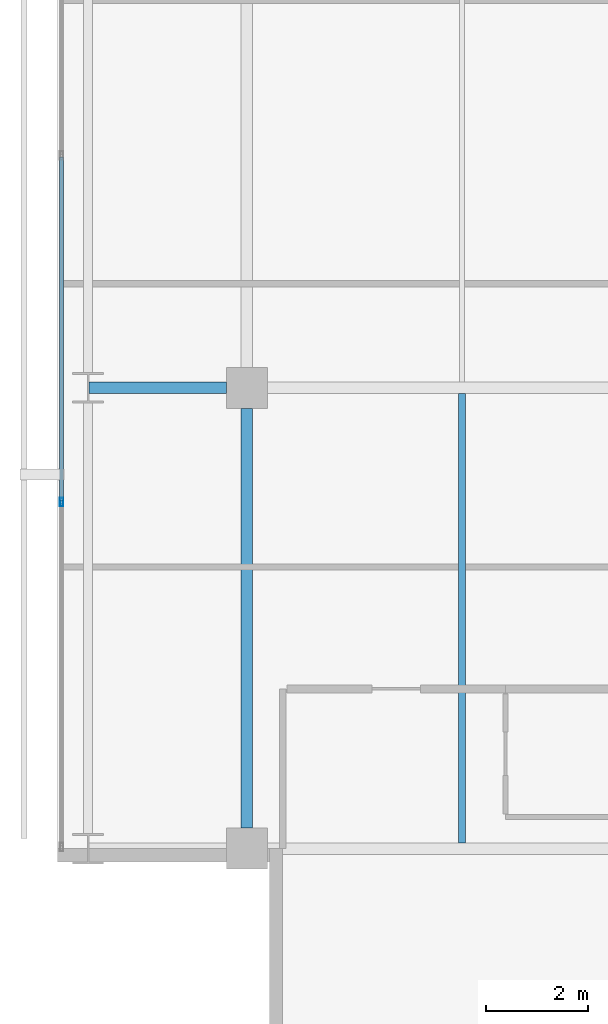
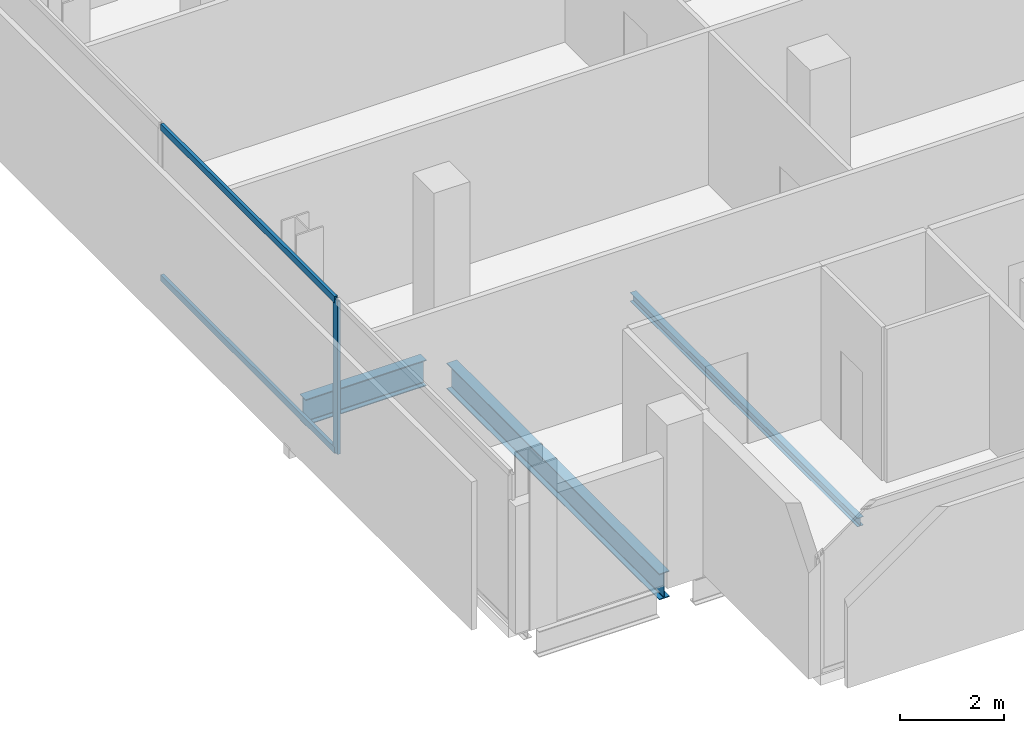
# One storey, part 4 of 33: 3 beams, 3 members, 1 element without a shape of its own.
"""IFC4 building model written with IfcOpenShell, lengths in metres."""

from ifc_helpers import new_model, si_unit, direction, frame, origin, origin_2d, place, context, subcontext, project, spatial, hollow_rectangle, i_section, extrude, material, layer, layer_set, material_profile, profile_set, type_object, element, aggregate, save


model = new_model("IFC4")

# Units and contexts
model_context = context("Model", 3, precision=1e-05, world=origin(), true_north=direction((0.0, 1.0)))
body_context = subcontext(model_context, "Body", "Model", "MODEL_VIEW")
ifc_project = project(units=[si_unit("LENGTHUNIT", "METRE"), si_unit("AREAUNIT", "SQUARE_METRE"), si_unit("VOLUMEUNIT", "CUBIC_METRE"), si_unit("PLANEANGLEUNIT", "RADIAN"), si_unit("MASSUNIT", "GRAM", prefix="KILO")], contexts=[model_context])

# Site, building, storey
site_placement = place(None, origin())
site = spatial("IfcSite", under=ifc_project, at=site_placement, CompositionType="ELEMENT")
building_placement = place(site_placement, origin())
building = spatial("IfcBuilding", under=site, at=building_placement, Name="Maruvema Waterfront Hotel and Observation Tower", CompositionType="ELEMENT")
storey_placement = place(building_placement, frame((0.0, 0.0, 154.35009765625)))
storey = spatial("IfcBuildingStorey", under=building, at=storey_placement, Name="L37", CompositionType="ELEMENT", Elevation=154.35009765625)

# Curtain wall, members
ifc_material_1 = material(Name="Anodised bronze aluminium and solar-control low-E IGU", Category="aluminium")
ifc_layer = layer(ifc_material_1, 0.159912109375, Name="Zone 2 Amber Inner Thermal Curtain Wall System CW-03")
ifc_layer_set = layer_set([ifc_layer], Name="Anodised bronze aluminium and solar-control low-E IGU")
curtain_wall_type = type_object("IfcCurtainWallType", Name="Zone 2 Amber Inner Thermal Curtain Wall System CW-03", PredefinedType="USERDEFINED", material=ifc_layer_set)
curtain_wall_placement = place(storey_placement, origin())
curtain_wall = element("IfcCurtainWall", 1, at=curtain_wall_placement, inside=storey, type_object=curtain_wall_type, Name="L37 Curtain Wall CW-L37-W", ObjectType="UNITISED CURTAIN WALL", PredefinedType="USERDEFINED")
ifc_material_2 = material(Name="Anodised architectural bronze aluminium", Category="aluminium")
ifc_material_profile_1 = material_profile(ifc_material_2, hollow_rectangle(XDim=0.070068359375, YDim=0.14990234375, WallThickness=0.00390625, at=origin_2d()), Name="ALU-T70x150")
ifc_profile_set_1 = profile_set([ifc_material_profile_1], Name="Anodised architectural bronze aluminium")
member_type_1 = type_object("IfcMemberType", Name="Curtain Wall Horizontal Transom ALU-T70x150", PredefinedType="USERDEFINED", material=ifc_profile_set_1)
member_1_placement = place(storey_placement, frame((13.179931640625, 22.50341796875, 0.02978515625), z_axis=(0.0, -1.0, 0.0), x_axis=(1.0, 0.0, 0.0)))
member_1 = element("IfcMember", 2, at=member_1_placement, type_object=member_type_1, Name="CW-03 transom 5.1", ObjectType="TRANSOM", PredefinedType="USERDEFINED", context=body_context, shape_type="SweptSolid", body=[
    extrude(hollow_rectangle(XDim=0.070068359375, YDim=0.14990234375, WallThickness=0.00390625, at=origin_2d()), origin(), (0.0, 0.0, 1.0), 6.706787109375),
])
member_2_placement = place(storey_placement, frame((13.179931640625, 22.50341796875, 3.579833984375), z_axis=(0.0, -1.0, 0.0), x_axis=(1.0, 0.0, 0.0)))
member_2 = element("IfcMember", 3, at=member_2_placement, type_object=member_type_1, Name="CW-03 transom 5.2", ObjectType="TRANSOM", PredefinedType="USERDEFINED", context=body_context, shape_type="SweptSolid", body=[
    extrude(hollow_rectangle(XDim=0.070068359375, YDim=0.14990234375, WallThickness=0.00390625, at=origin_2d()), origin(), (0.0, 0.0, 1.0), 6.706787109375),
])
ifc_material_3 = material(Name="Anodised architectural bronze aluminium", Category="aluminium")
ifc_material_profile_2 = material_profile(ifc_material_3, hollow_rectangle(XDim=0.06494140625, YDim=0.1650390625, WallThickness=0.00390625, at=origin_2d()), Name="ALU-M65x165")
ifc_profile_set_2 = profile_set([ifc_material_profile_2], Name="Anodised architectural bronze aluminium")
member_type_2 = type_object("IfcMemberType", Name="Curtain Wall Primary Mullion ALU-M65x165", PredefinedType="MULLION", material=ifc_profile_set_2)
member_3_placement = place(storey_placement, frame((13.179931640625, 15.7666015625, 0.0), z_axis=(0.0, 0.0, 1.0), x_axis=(1.0, 0.0, 0.0)))
member_3 = element("IfcMember", 4, at=member_3_placement, type_object=member_type_2, Name="CW-03 mullion 6", PredefinedType="MULLION", context=body_context, shape_type="SweptSolid", body=[
    extrude(hollow_rectangle(XDim=0.06494140625, YDim=0.1650390625, WallThickness=0.00390625, at=origin_2d()), origin(), (0.0, 0.0, 1.0), 3.60986328125),
])
aggregate(curtain_wall, [member_3, member_1, member_2])

# Beams
ifc_material_4 = material(Name="Steel ASTM A572 Grade 50", Category="steel")
ifc_material_profile_3 = material_profile(ifc_material_4, i_section(OverallWidth=0.22900390625, OverallDepth=0.612060546875, WebThickness=0.011962890625, FlangeThickness=0.01953125, FilletRadius=0.01806640625, at=origin_2d()), Name="W610x125.0")
ifc_profile_set_3 = profile_set([ifc_material_profile_3], Name="Steel ASTM A572 Grade 50")
beam_type_1 = type_object("IfcBeamType", Name="Primary Floor Girder W610x125.0", PredefinedType="BEAM", material=ifc_profile_set_3)
beam_1_placement = place(storey_placement, frame((13.71240234375, 18.0, -0.546142578125), z_axis=(1.0, 0.0, 0.0), x_axis=(0.0, 1.0, 0.0)))
element("IfcBeam", 5, at=beam_1_placement, inside=storey, type_object=beam_type_1, Name="L37 Floor Girder EW-11", PredefinedType="BEAM", context=body_context, shape_type="SweptSolid", body=[
    extrude(i_section(OverallWidth=0.22900390625, OverallDepth=0.612060546875, WebThickness=0.011962890625, FlangeThickness=0.01953125, FilletRadius=0.01806640625, at=origin_2d()), origin(), (0.0, 0.0, 1.0), 2.6875),
])
beam_2_placement = place(storey_placement, frame((16.800048828125, 9.39990234375, -0.546142578125), z_axis=(0.0, 1.0, 0.0), x_axis=(-1.0, 0.0, 0.0)))
element("IfcBeam", 6, at=beam_2_placement, inside=storey, type_object=beam_type_1, Name="L37 Floor Girder NS-05", PredefinedType="BEAM", context=body_context, shape_type="SweptSolid", body=[
    extrude(i_section(OverallWidth=0.22900390625, OverallDepth=0.612060546875, WebThickness=0.011962890625, FlangeThickness=0.01953125, FilletRadius=0.01806640625, at=origin_2d()), origin(), (0.0, 0.0, 1.0), 8.2001953125),
])
ifc_material_5 = material(Name="Steel ASTM A572 Grade 50", Category="steel")
ifc_material_profile_4 = material_profile(ifc_material_5, i_section(OverallWidth=0.133056640625, OverallDepth=0.20703125, WebThickness=0.005859375, FlangeThickness=0.00830078125, FilletRadius=0.010009765625, at=origin_2d()), Name="W200x26.6")
ifc_profile_set_4 = profile_set([ifc_material_profile_4], Name="Steel ASTM A572 Grade 50")
beam_type_2 = type_object("IfcBeamType", Name="Secondary Floor Joist W200x26.6", PredefinedType="JOIST", material=ifc_profile_set_4)
beam_3_placement = place(storey_placement, frame((21.0, 9.114501953125, -0.343505859375), z_axis=(0.0, 1.0, 0.0), x_axis=(-1.0, 0.0, 0.0)))
element("IfcBeam", 7, at=beam_3_placement, inside=storey, type_object=beam_type_2, Name="L37 Secondary Floor Joist JS-01", PredefinedType="JOIST", context=body_context, shape_type="SweptSolid", body=[
    extrude(i_section(OverallWidth=0.133056640625, OverallDepth=0.20703125, WebThickness=0.005859375, FlangeThickness=0.00830078125, FilletRadius=0.010009765625, at=origin_2d()), origin(), (0.0, 0.0, 1.0), 8.77099609375),
])

save(model, "model.ifc")
